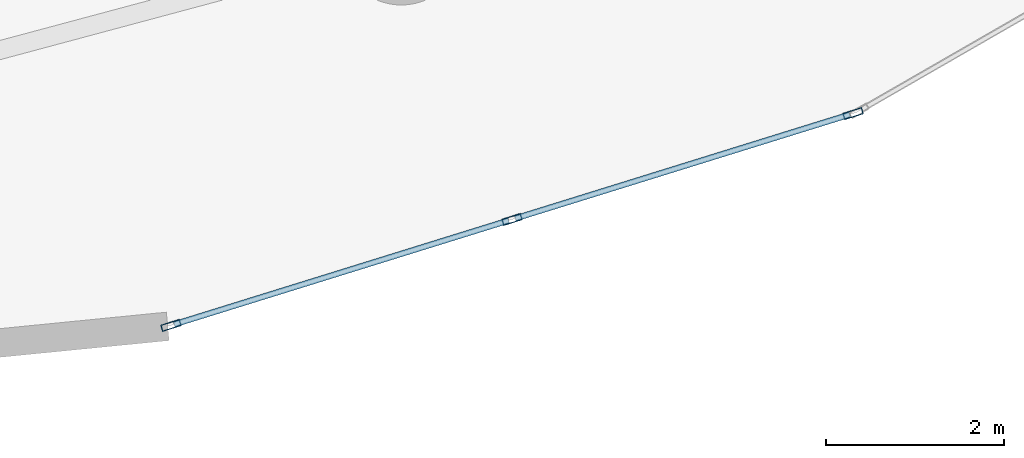
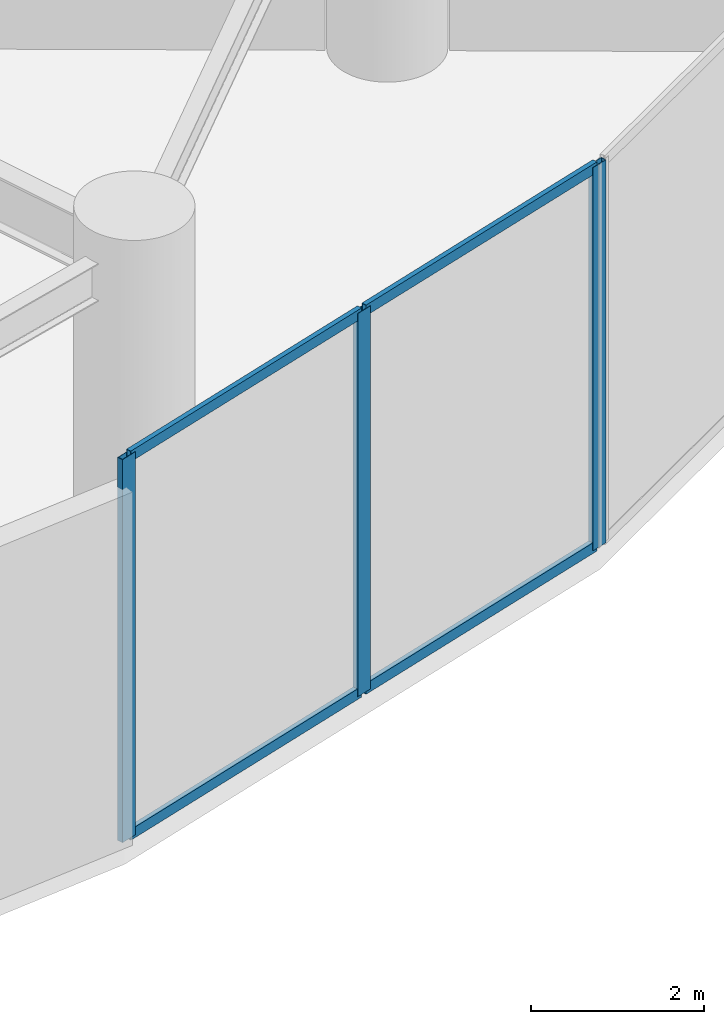
# One storey, part 9 of 29: 7 members, 1 element without a shape of its own.
"""IFC4 building model written with IfcOpenShell, lengths in metres."""

import ifcopenshell
import ifcopenshell.guid

model = None  # the IFC model being written
_history = None  # IfcOwnerHistory: only IFC2X3 demands one
_inside = {}  # id of a spatial element -> (the spatial element, [elements in it])
_under = {}  # id of a project, library or spatial element -> (it, [spatial elements below it])
_declared = {}  # id of a project -> (the project, [libraries it declares])
_typed = {}  # id of a type object -> (the type object, [elements of that type])
_made_of = {}  # id of a material, layer set ... -> (it, [elements and type objects made of it])


def new_model(schema):
    """Start an empty IFC model of exactly this schema.

    Asked for "IFC4X3", IfcOpenShell would pick the latest addendum, in which some entities
    have other attributes; the version numbers below select the first issue.
    IFC2X3 requires an IfcOwnerHistory on every rooted entity: one is made here for all.
    """
    global model, _history
    if schema == "IFC4X3":
        model = ifcopenshell.file(schema_version=(4, 3, 0, 0))
    else:
        model = ifcopenshell.file(schema=schema)
    _inside.clear()
    _under.clear()
    _declared.clear()
    _typed.clear()
    _made_of.clear()
    _history = None
    if model.schema == "IFC2X3":
        org = make("IfcOrganization", Name="unknown")
        user = make(
            "IfcPersonAndOrganization",
            ThePerson=make("IfcPerson", FamilyName="unknown"),
            TheOrganization=org,
        )
        app = make(
            "IfcApplication",
            ApplicationDeveloper=org,
            Version="unknown",
            ApplicationFullName="unknown",
            ApplicationIdentifier="unknown",
        )
        _history = make(
            "IfcOwnerHistory",
            OwningUser=user,
            OwningApplication=app,
            ChangeAction="ADDED",
            CreationDate=0,
        )
    return model


def make(cls, **values):
    """One entity of the class cls with the attributes given. An attribute that is None is left unset."""
    return model.create_entity(
        cls, **{name: value for name, value in values.items() if value is not None}
    )


def rooted(cls, **values):
    """An entity with a GlobalId (a new one), such as an element, a storey or a relation."""
    return make(cls, GlobalId=ifcopenshell.guid.new(), OwnerHistory=_history, **values)


def si_unit(unit_type, name, prefix=None):
    """IfcSIUnit, for example si_unit("LENGTHUNIT", "METRE", prefix="MILLI")."""
    return make("IfcSIUnit", UnitType=unit_type, Prefix=prefix, Name=name)


def assignment(units):
    """IfcUnitAssignment: the units of a project."""
    return None if units is None else make("IfcUnitAssignment", Units=units)


def point(xyz):
    """IfcCartesianPoint."""
    return None if xyz is None else make("IfcCartesianPoint", Coordinates=xyz)


def direction(xyz):
    """IfcDirection."""
    return None if xyz is None else make("IfcDirection", DirectionRatios=xyz)


def frame(location, z_axis=None, x_axis=None):
    """IfcAxis2Placement3D, a coordinate frame: its origin and axes. An axis left out is left unset."""
    return make(
        "IfcAxis2Placement3D",
        Location=point(location),
        Axis=direction(z_axis),
        RefDirection=direction(x_axis),
    )


def frame_2d(location, x_axis=None):
    """IfcAxis2Placement2D, a coordinate frame in the plane: its origin and x axis."""
    return make(
        "IfcAxis2Placement2D", Location=point(location), RefDirection=direction(x_axis)
    )


def origin():
    """The frame at (0, 0, 0) with its axes left unset."""
    return frame((0.0, 0.0, 0.0))


def origin_2d():
    """The frame at (0, 0) in the plane with its x axis left unset."""
    return frame_2d((0.0, 0.0))


def place(relative_to, where):
    """IfcLocalPlacement: puts the frame where relative to a parent placement (None: the world)."""
    return make(
        "IfcLocalPlacement", PlacementRelTo=relative_to, RelativePlacement=where
    )


def context(
    kind, dimensions, precision=None, world=None, true_north=None, identifier=None
):
    """IfcGeometricRepresentationContext, for example the 3D "Model" context."""
    return make(
        "IfcGeometricRepresentationContext",
        ContextIdentifier=identifier,
        ContextType=kind,
        CoordinateSpaceDimension=dimensions,
        Precision=precision,
        WorldCoordinateSystem=world,
        TrueNorth=true_north,
    )


def subcontext(parent, identifier, kind, view, scale=None):
    """IfcGeometricRepresentationSubContext, for example "Body" below "Model"."""
    return make(
        "IfcGeometricRepresentationSubContext",
        ContextIdentifier=identifier,
        ContextType=kind,
        ParentContext=parent,
        TargetScale=scale,
        TargetView=view,
    )


def project(units=None, contexts=None):
    """IfcProject with its units and contexts."""
    return rooted(
        "IfcProject",
        Name="project",
        RepresentationContexts=contexts,
        UnitsInContext=assignment(units),
    )


def spatial(cls, under=None, at=None, **own):
    """A site, building, storey or space (cls), placed at a placement, below another one or the project."""
    s = rooted(cls, ObjectPlacement=at, **own)
    if under is not None:
        _under.setdefault(under.id(), (under, []))[1].append(s)
    return s


def profile(cls, at=None, kind="AREA", **sizes):
    """A parametric profile (cls). Its sizes go by their IFC names, for example OverallWidth=200.0."""
    return make(cls, ProfileType=kind, Position=at, **sizes)


def hollow_rectangle(**sizes):
    """IfcRectangleHollowProfileDef."""
    return profile("IfcRectangleHollowProfileDef", **sizes)


def extrude(swept, where, along, depth):
    """IfcExtrudedAreaSolid: the profile swept, set in the frame where, extruded along a direction by depth."""
    return make(
        "IfcExtrudedAreaSolid",
        SweptArea=swept,
        Position=where,
        ExtrudedDirection=direction(along),
        Depth=depth,
    )


def shape(context_of_items, identifier, shape_type, items):
    """IfcShapeRepresentation: the items that make up one representation, for example the "Body"."""
    return make(
        "IfcShapeRepresentation",
        ContextOfItems=context_of_items,
        RepresentationIdentifier=identifier,
        RepresentationType=shape_type,
        Items=items,
    )


def source(mapping_origin, context_of_items, identifier, shape_type, items):
    """IfcRepresentationMap: a shape defined once, which mapped items show again and again."""
    return make(
        "IfcRepresentationMap",
        MappingOrigin=mapping_origin,
        MappedRepresentation=shape(context_of_items, identifier, shape_type, items),
    )


def transform(
    local_origin,
    x_axis=None,
    y_axis=None,
    z_axis=None,
    scale=None,
    scale2=None,
    scale3=None,
    uniform=True,
):
    """IfcCartesianTransformationOperator3D, or its non-uniform kind. x_axis, y_axis, z_axis: its Axis1, 2, 3."""
    if uniform:
        return make(
            "IfcCartesianTransformationOperator3D",
            Axis1=direction(x_axis),
            Axis2=direction(y_axis),
            LocalOrigin=point(local_origin),
            Scale=scale,
            Axis3=direction(z_axis),
        )
    return make(
        "IfcCartesianTransformationOperator3DnonUniform",
        Axis1=direction(x_axis),
        Axis2=direction(y_axis),
        LocalOrigin=point(local_origin),
        Scale=scale,
        Axis3=direction(z_axis),
        Scale2=scale2,
        Scale3=scale3,
    )


def mapped(mapping_source, mapping_target):
    """IfcMappedItem: shows the shape of a source again, moved by a transform."""
    return make(
        "IfcMappedItem", MappingSource=mapping_source, MappingTarget=mapping_target
    )


def material(Name=None, Category=None):
    """IfcMaterial."""
    return make("IfcMaterial", Name=Name, Category=Category)


def layer(
    of_material, thickness, ventilated=None, Name=None, Category=None, Priority=None
):
    """IfcMaterialLayer: one layer of a wall or slab, of a material (None: an air gap)."""
    return make(
        "IfcMaterialLayer",
        Material=of_material,
        LayerThickness=thickness,
        IsVentilated=ventilated,
        Name=Name,
        Category=Category,
        Priority=Priority,
    )


def layer_set(layers, Name=None):
    """IfcMaterialLayerSet."""
    return make("IfcMaterialLayerSet", MaterialLayers=layers, LayerSetName=Name)


def material_profile(
    of_material, cross_section, Name=None, Category=None, Priority=None
):
    """IfcMaterialProfile: a cross section and its material."""
    return make(
        "IfcMaterialProfile",
        Name=Name,
        Material=of_material,
        Profile=cross_section,
        Priority=Priority,
        Category=Category,
    )


def profile_set(profiles, Name=None, composite=None):
    """IfcMaterialProfileSet."""
    return make(
        "IfcMaterialProfileSet",
        Name=Name,
        MaterialProfiles=profiles,
        CompositeProfile=composite,
    )


def made_of(thing, what):
    """Note that an element or type object is made of a material, layer set ...; save() writes the relation."""
    if what is not None:
        _made_of.setdefault(what.id(), (what, []))[1].append(thing)
    return thing


def type_object(cls, material=None, **own):
    """A type object (cls), such as IfcWallType, which elements share."""
    return made_of(rooted(cls, **own), material)


def element(
    cls,
    number,
    at=None,
    inside=None,
    cuts=None,
    type_object=None,
    material=None,
    context=None,
    identifier="Body",
    shape_type=None,
    held_by="IfcProductDefinitionShape",
    body=None,
    shapes=None,
    **own,
):
    """One element of the class cls, such as IfcWall. Its Tag is "e" and its number.

    at: its placement. inside: the storey or other place that contains it. cuts: it is an
    opening in that element (IfcRelVoidsElement). A single representation is given by context,
    identifier, shape_type and body (its items); several are given by shapes. held_by: the class
    of the entity that holds the representations. save() writes the other relations.
    """
    e = rooted(cls, Tag="e%d" % number, ObjectPlacement=at, **own)
    if body is not None:
        shapes = [shape(context, identifier, shape_type, body)]
    if shapes is not None:
        e.Representation = make(held_by, Representations=shapes)
    if inside is not None:
        _inside.setdefault(inside.id(), (inside, []))[1].append(e)
    if cuts is not None:
        rooted(
            "IfcRelVoidsElement", RelatingBuildingElement=cuts, RelatedOpeningElement=e
        )
    if type_object is not None:
        _typed.setdefault(type_object.id(), (type_object, []))[1].append(e)
    return made_of(e, material)


def aggregate(whole, parts):
    """IfcRelAggregates: a whole, such as a stair, and the parts it consists of."""
    return rooted("IfcRelAggregates", RelatingObject=whole, RelatedObjects=parts)


def save(model, path):
    """Write the relations noted so far, then the file.

    IfcRelAggregates (storeys below a building ...), IfcRelContainedInSpatialStructure (elements
    in a storey), IfcRelDefinesByType, IfcRelAssociatesMaterial and IfcRelDeclares: one each for
    every whole, place, type object, material and project.
    """
    for whole, parts in _under.values():
        aggregate(whole, parts)
    for where, things in _inside.values():
        rooted(
            "IfcRelContainedInSpatialStructure",
            RelatedElements=things,
            RelatingStructure=where,
        )
    for kind, things in _typed.values():
        rooted("IfcRelDefinesByType", RelatedObjects=things, RelatingType=kind)
    for what, things in _made_of.values():
        rooted("IfcRelAssociatesMaterial", RelatedObjects=things, RelatingMaterial=what)
    for by, libraries in _declared.values():
        rooted("IfcRelDeclares", RelatingContext=by, RelatedDefinitions=libraries)
    model.write(path)


model = new_model("IFC4")

# Units and contexts
model_context = context("Model", 3, precision=1e-05, world=origin(), true_north=direction((0.0, 1.0)))
body_context = subcontext(model_context, "Body", "Model", "MODEL_VIEW")
ifc_project = project(units=[si_unit("LENGTHUNIT", "METRE"), si_unit("AREAUNIT", "SQUARE_METRE"), si_unit("VOLUMEUNIT", "CUBIC_METRE"), si_unit("PLANEANGLEUNIT", "RADIAN"), si_unit("MASSUNIT", "GRAM", prefix="KILO")], contexts=[model_context])

# Site, building, storey
site_placement = place(None, origin())
site = spatial("IfcSite", under=ifc_project, at=site_placement, CompositionType="ELEMENT")
building_placement = place(site_placement, origin())
building = spatial("IfcBuilding", under=site, at=building_placement, Name="Solvirekh Grand Hotel", CompositionType="ELEMENT")
storey_placement = place(building_placement, frame((0.0, 0.0, 7.199951171875)))
storey = spatial("IfcBuildingStorey", under=building, at=storey_placement, Name="L01", CompositionType="ELEMENT", Elevation=7.199951171875)

# Curtain wall, members
ifc_material = material(Name="Anodized Bronze Aluminium 6063-T6", Category="aluminium")
ifc_layer = layer(ifc_material, 0.219970703125)
ifc_layer_set = layer_set([ifc_layer], Name="Anodized Bronze Aluminium 6063-T6")
curtain_wall_type = type_object("IfcCurtainWallType", Name="CW_Sys1_PodiumBronzeUnitised", PredefinedType="NOTDEFINED", material=ifc_layer_set)
curtain_wall_placement = place(storey_placement, origin())
curtain_wall = element("IfcCurtainWall", 1, at=curtain_wall_placement, inside=storey, type_object=curtain_wall_type, Name="L01 unitised bronze-glass curtain wall CW-L01-C20", PredefinedType="NOTDEFINED")
ifc_material_profile_1 = material_profile(ifc_material, hollow_rectangle(XDim=0.074951171875, YDim=0.219970703125, WallThickness=0.006103515625, at=origin_2d()), Name="ALU RHS 220X75X6")
ifc_profile_set_1 = profile_set([ifc_material_profile_1], Name="Anodized Bronze Aluminium 6063-T6")
member_type_1 = type_object("IfcMemberType", Name="CWMullion_Sys1", PredefinedType="MULLION", material=ifc_profile_set_1)
shared_shape_1 = source(origin(), body_context, "Body", "SweptSolid", [
    extrude(hollow_rectangle(XDim=0.074951171875, YDim=0.219970703125, WallThickness=0.006103515625, at=origin_2d()), origin(), (0.0, 0.0, 1.0), 5.400146484375),
])
member_1_placement = place(storey_placement, frame((8.31787109375, -23.1708984375, 0.0), z_axis=(0.0, 0.0, 1.0), x_axis=(-0.296597697719, 0.955002516074, 0.0)))
member_1 = element("IfcMember", 2, at=member_1_placement, type_object=member_type_1, Name="U01 mullion 1", PredefinedType="MULLION", context=body_context, shape_type="MappedRepresentation", body=[
    mapped(shared_shape_1, transform((0.0, 0.0, 0.0), x_axis=(1.0, 0.0, 0.0), y_axis=(0.0, 1.0, 0.0), z_axis=(0.0, 0.0, 1.0), scale=1.0)),
])
member_2_placement = place(storey_placement, frame((12.14111328125, -21.9833984375, 0.0), z_axis=(0.0, 0.0, 1.0), x_axis=(-0.296597697719, 0.955002516074, 0.0)))
member_2 = element("IfcMember", 3, at=member_2_placement, type_object=member_type_1, Name="U01 mullion 2", PredefinedType="MULLION", context=body_context, shape_type="MappedRepresentation", body=[
    mapped(shared_shape_1, transform((0.0, 0.0, 0.0), x_axis=(1.0, 0.0, 0.0), y_axis=(0.0, 1.0, 0.0), z_axis=(0.0, 0.0, 1.0), scale=1.0)),
])
member_3_placement = place(storey_placement, frame((15.964111328125, -20.796142578125, 0.0), z_axis=(0.0, 0.0, 1.0), x_axis=(-0.296597697719, 0.955002516074, 0.0)))
member_3 = element("IfcMember", 4, at=member_3_placement, type_object=member_type_1, Name="U01 mullion 3", PredefinedType="MULLION", context=body_context, shape_type="MappedRepresentation", body=[
    mapped(shared_shape_1, transform((0.0, 0.0, 0.0), x_axis=(1.0, 0.0, 0.0), y_axis=(0.0, 1.0, 0.0), z_axis=(0.0, 0.0, 1.0), scale=1.0)),
])
ifc_material_profile_2 = material_profile(ifc_material, hollow_rectangle(XDim=0.06494140625, YDim=0.14990234375, WallThickness=0.0048828125, at=origin_2d()), Name="ALU RHS 150X65X5")
ifc_profile_set_2 = profile_set([ifc_material_profile_2], Name="Anodized Bronze Aluminium 6063-T6")
member_type_2 = type_object("IfcMemberType", Name="CWTransom_Sys1", PredefinedType="USERDEFINED", material=ifc_profile_set_2)
shared_shape_2 = source(origin(), body_context, "Body", "SweptSolid", [
    extrude(hollow_rectangle(XDim=0.06494140625, YDim=0.14990234375, WallThickness=0.0048828125, at=origin_2d()), origin(), (0.0, 0.0, 1.0), 3.928466796875),
])
member_4_placement = place(storey_placement, frame((8.353515625, -23.15966796875, 0.032470703125), z_axis=(0.955012557895, 0.296565362548, 0.0), x_axis=(-0.296565362548, 0.955012557895, 0.0)))
member_4 = element("IfcMember", 5, at=member_4_placement, type_object=member_type_2, Name="U01 transom 1.1", ObjectType="TRANSOM", PredefinedType="USERDEFINED", context=body_context, shape_type="MappedRepresentation", body=[
    mapped(shared_shape_2, transform((0.0, 0.0, 0.0), x_axis=(1.0, 0.0, 0.0), y_axis=(0.0, 1.0, 0.0), z_axis=(0.0, 0.0, 1.0), scale=1.0)),
])
member_5_placement = place(storey_placement, frame((8.353515625, -23.15966796875, 5.367431640625), z_axis=(0.955012557895, 0.296565362548, 0.0), x_axis=(-0.296565362548, 0.955012557895, 0.0)))
member_5 = element("IfcMember", 6, at=member_5_placement, type_object=member_type_2, Name="U01 transom 1.2", ObjectType="TRANSOM", PredefinedType="USERDEFINED", context=body_context, shape_type="MappedRepresentation", body=[
    mapped(shared_shape_2, transform((0.0, 0.0, 0.0), x_axis=(1.0, 0.0, 0.0), y_axis=(0.0, 1.0, 0.0), z_axis=(0.0, 0.0, 1.0), scale=1.0)),
])
member_6_placement = place(storey_placement, frame((12.1767578125, -21.972412109375, 0.032470703125), z_axis=(0.954994955045, 0.296622042066, 0.0), x_axis=(-0.296622042066, 0.954994955045, 0.0)))
member_6 = element("IfcMember", 7, at=member_6_placement, type_object=member_type_2, Name="U01 transom 2.1", ObjectType="TRANSOM", PredefinedType="USERDEFINED", context=body_context, shape_type="MappedRepresentation", body=[
    mapped(shared_shape_2, transform((0.0, 0.0, 0.0), x_axis=(1.0, 0.0, 0.0), y_axis=(0.0, 1.0, 0.0), z_axis=(0.0, 0.0, 1.0), scale=1.0)),
])
member_7_placement = place(storey_placement, frame((12.1767578125, -21.972412109375, 5.367431640625), z_axis=(0.954994955045, 0.296622042066, 0.0), x_axis=(-0.296622042066, 0.954994955045, 0.0)))
member_7 = element("IfcMember", 8, at=member_7_placement, type_object=member_type_2, Name="U01 transom 2.2", ObjectType="TRANSOM", PredefinedType="USERDEFINED", context=body_context, shape_type="MappedRepresentation", body=[
    mapped(shared_shape_2, transform((0.0, 0.0, 0.0), x_axis=(1.0, 0.0, 0.0), y_axis=(0.0, 1.0, 0.0), z_axis=(0.0, 0.0, 1.0), scale=1.0)),
])
aggregate(curtain_wall, [member_1, member_2, member_3, member_4, member_5, member_6, member_7])

save(model, "model.ifc")
